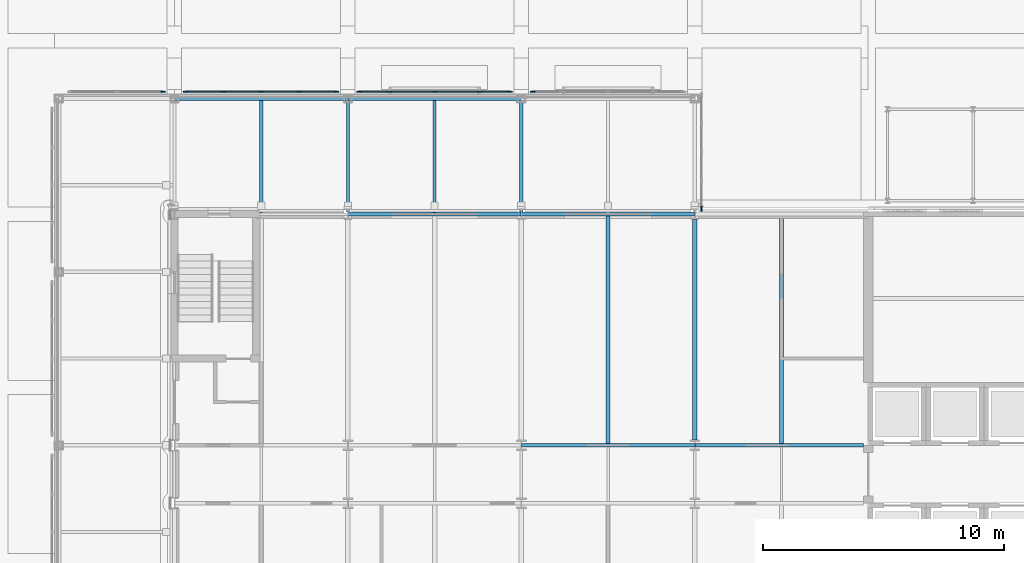
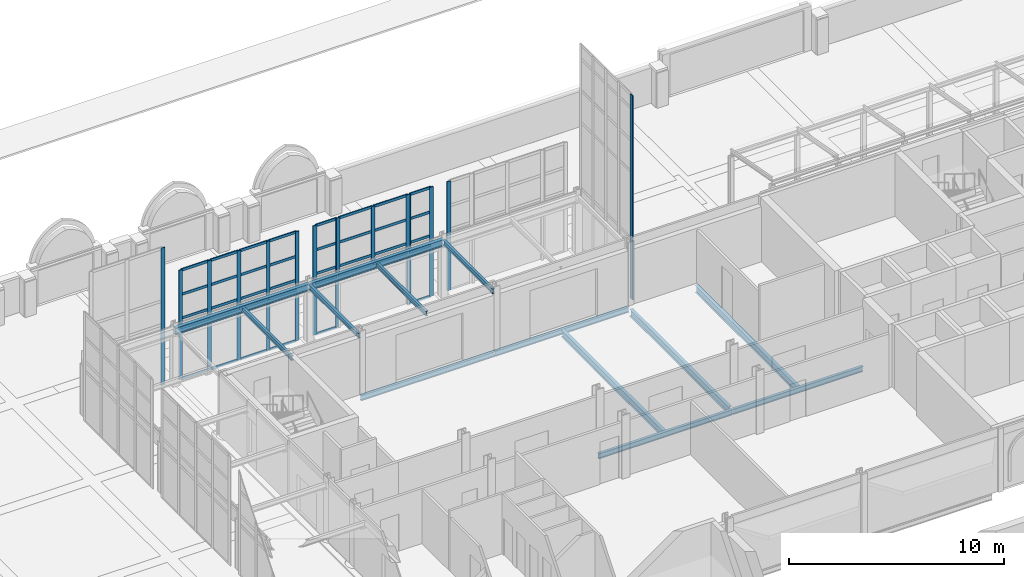
# One storey, part 52 of 143: 53 members, 13 beams, 7 elements without a shape of their own.
"""IFC4 building model written with IfcOpenShell, lengths in metres."""

from ifc_helpers import new_model, si_unit, direction, frame, origin, origin_2d, place, context, subcontext, project, spatial, rectangle, i_section, extrude, material, material_profile, profile_set, type_object, element, aggregate, save


model = new_model("IFC4")

# Units and contexts
model_context = context("Model", 3, precision=1e-05, world=origin(), true_north=direction((0.0, 1.0)))
body_context = subcontext(model_context, "Body", "Model", "MODEL_VIEW")
ifc_project = project(units=[si_unit("LENGTHUNIT", "METRE"), si_unit("AREAUNIT", "SQUARE_METRE"), si_unit("VOLUMEUNIT", "CUBIC_METRE"), si_unit("PLANEANGLEUNIT", "RADIAN"), si_unit("MASSUNIT", "GRAM", prefix="KILO")], contexts=[model_context])

# Site, building, storey
site_placement = place(None, origin())
site = spatial("IfcSite", under=ifc_project, at=site_placement, CompositionType="ELEMENT")
building_placement = place(site_placement, origin())
building = spatial("IfcBuilding", under=site, at=building_placement, Name="Kupolbacken Congress Centre", CompositionType="ELEMENT")
storey_placement = place(building_placement, frame((0.0, 0.0, 7.199951171875)))
storey = spatial("IfcBuildingStorey", under=building, at=storey_placement, Name="L02", CompositionType="ELEMENT", Elevation=7.199951171875)

# Beams
ifc_material_1 = material(Name="Steel S355", Category="steel")
ifc_material_profile_1 = material_profile(ifc_material_1, i_section(OverallWidth=0.135009765625, OverallDepth=0.27001953125, WebThickness=0.006591796875, FlangeThickness=0.01025390625, FilletRadius=0.014892578125, at=origin_2d()), Name="IPE 270")
ifc_profile_set_1 = profile_set([ifc_material_profile_1], Name="Steel S355")
beam_type_1 = type_object("IfcBeamType", Name="B03 beam IPE 270", PredefinedType="BEAM", material=ifc_profile_set_1)
beam_1_placement = place(storey_placement, frame((68.39990234375, 144.06494140625, 3.135009765625), z_axis=(0.0, 1.0, 0.0), x_axis=(-1.0, 0.0, 0.0)))
element("IfcBeam", 1, at=beam_1_placement, inside=storey, type_object=beam_type_1, Name="E/T/portico/N/raft68.4", PredefinedType="BEAM", context=body_context, shape_type="SweptSolid", body=[
    extrude(i_section(OverallWidth=0.135009765625, OverallDepth=0.27001953125, WebThickness=0.006591796875, FlangeThickness=0.01025390625, FilletRadius=0.014892578125, at=origin_2d()), origin(), (0.0, 0.0, 1.0), 4.650146484375),
])
beam_2_placement = place(storey_placement, frame((72.0, 144.080078125, 3.135009765625), z_axis=(0.0, 1.0, 0.0), x_axis=(-1.0, 0.0, 0.0)))
element("IfcBeam", 2, at=beam_2_placement, inside=storey, type_object=beam_type_1, Name="E/T/portico/N/raft72", PredefinedType="BEAM", context=body_context, shape_type="SweptSolid", body=[
    extrude(i_section(OverallWidth=0.135009765625, OverallDepth=0.27001953125, WebThickness=0.006591796875, FlangeThickness=0.01025390625, FilletRadius=0.014892578125, at=origin_2d()), origin(), (0.0, 0.0, 1.0), 4.635009765625),
])
beam_3_placement = place(storey_placement, frame((75.60009765625, 144.06494140625, 3.135009765625), z_axis=(0.0, 1.0, 0.0), x_axis=(-1.0, 0.0, 0.0)))
element("IfcBeam", 3, at=beam_3_placement, inside=storey, type_object=beam_type_1, Name="E/T/portico/N/raft75.6", PredefinedType="BEAM", context=body_context, shape_type="SweptSolid", body=[
    extrude(i_section(OverallWidth=0.135009765625, OverallDepth=0.27001953125, WebThickness=0.006591796875, FlangeThickness=0.01025390625, FilletRadius=0.014892578125, at=origin_2d()), origin(), (0.0, 0.0, 1.0), 4.650146484375),
])
beam_4_placement = place(storey_placement, frame((79.199951171875, 144.080078125, 3.135009765625), z_axis=(0.0, 1.0, 0.0), x_axis=(-1.0, 0.0, 0.0)))
element("IfcBeam", 4, at=beam_4_placement, inside=storey, type_object=beam_type_1, Name="E/T/portico/N/raft79.2", PredefinedType="BEAM", context=body_context, shape_type="SweptSolid", body=[
    extrude(i_section(OverallWidth=0.135009765625, OverallDepth=0.27001953125, WebThickness=0.006591796875, FlangeThickness=0.01025390625, FilletRadius=0.014892578125, at=origin_2d()), origin(), (0.0, 0.0, 1.0), 4.635009765625),
])
ifc_material_2 = material(Name="Steel S355", Category="steel")
ifc_material_profile_2 = material_profile(ifc_material_2, i_section(OverallWidth=0.14990234375, OverallDepth=0.300048828125, WebThickness=0.007080078125, FlangeThickness=0.0107421875, FilletRadius=0.014892578125, at=origin_2d()), Name="IPE 300")
ifc_profile_set_2 = profile_set([ifc_material_profile_2], Name="Steel S355")
beam_type_2 = type_object("IfcBeamType", Name="B04 beam IPE 300", PredefinedType="BEAM", material=ifc_profile_set_2)
beam_5_placement = place(storey_placement, frame((79.21630859375, 134.39990234375, -0.329833984375), z_axis=(1.0, 0.0, 0.0), x_axis=(0.0, 1.0, 0.0)))
element("IfcBeam", 5, at=beam_5_placement, inside=storey, type_object=beam_type_2, Name="S/floor/T/L02/R017", PredefinedType="BEAM", context=body_context, shape_type="SweptSolid", body=[
    extrude(i_section(OverallWidth=0.14990234375, OverallDepth=0.300048828125, WebThickness=0.007080078125, FlangeThickness=0.0107421875, FilletRadius=0.014892578125, at=origin_2d()), origin(), (0.0, 0.0, 1.0), 7.167236328125),
])
beam_6_placement = place(storey_placement, frame((86.41650390625, 134.39990234375, -0.329833984375), z_axis=(1.0, 0.0, 0.0), x_axis=(0.0, 1.0, 0.0)))
element("IfcBeam", 6, at=beam_6_placement, inside=storey, type_object=beam_type_2, Name="S/floor/T/L02/R018", PredefinedType="BEAM", context=body_context, shape_type="SweptSolid", body=[
    extrude(i_section(OverallWidth=0.14990234375, OverallDepth=0.300048828125, WebThickness=0.007080078125, FlangeThickness=0.0107421875, FilletRadius=0.014892578125, at=origin_2d()), origin(), (0.0, 0.0, 1.0), 6.9833984375),
])
for number, where, z_axis, x_axis, name in (
    (7, (72.010498046875, 144.0, -0.329833984375), (1.0, 0.0, 0.0), (0.0, 1.0, 0.0), "S/floor/T/L02/R024"),
    (8, (79.21044921875, 144.0, -0.329833984375), (1.0, 0.0, 0.0), (0.0, 1.0, 0.0), "S/floor/T/L02/R025"),
):
    element("IfcBeam", number, at=place(storey_placement, frame(where, z_axis=z_axis, x_axis=x_axis)), inside=storey, type_object=beam_type_2, Name=name, PredefinedType="BEAM", context=body_context, shape_type="SweptSolid", body=[
        extrude(i_section(OverallWidth=0.14990234375, OverallDepth=0.300048828125, WebThickness=0.007080078125, FlangeThickness=0.0107421875, FilletRadius=0.014892578125, at=origin_2d()), origin(), (0.0, 0.0, 1.0), 7.178955078125),
    ])
ifc_material_3 = material(Name="Steel S355", Category="steel")
ifc_material_profile_3 = material_profile(ifc_material_3, i_section(OverallWidth=0.179931640625, OverallDepth=0.39990234375, WebThickness=0.008544921875, FlangeThickness=0.013427734375, FilletRadius=0.02099609375, at=origin_2d()), Name="IPE 400")
ifc_profile_set_3 = profile_set([ifc_material_profile_3], Name="Steel S355")
beam_type_3 = type_object("IfcBeamType", Name="B07 beam IPE 400", PredefinedType="BEAM", material=ifc_profile_set_3)
beam_7_placement = place(storey_placement, frame((82.800048828125, 134.47509765625, -0.3798828125), z_axis=(0.0, 1.0, 0.0), x_axis=(-1.0, 0.0, 0.0)))
element("IfcBeam", 9, at=beam_7_placement, inside=storey, type_object=beam_type_3, Name="S/floor/T/L02/S048", PredefinedType="BEAM", context=body_context, shape_type="SweptSolid", body=[
    extrude(i_section(OverallWidth=0.179931640625, OverallDepth=0.39990234375, WebThickness=0.008544921875, FlangeThickness=0.013427734375, FilletRadius=0.02099609375, at=origin_2d()), origin(), (0.0, 0.0, 1.0), 9.449951171875),
])
beam_8_placement = place(storey_placement, frame((86.39990234375, 134.612548828125, -0.3798828125), z_axis=(0.0, 1.0, 0.0), x_axis=(-1.0, 0.0, 0.0)))
element("IfcBeam", 10, at=beam_8_placement, inside=storey, type_object=beam_type_3, Name="S/floor/T/L02/S051", PredefinedType="BEAM", context=body_context, shape_type="SweptSolid", body=[
    extrude(i_section(OverallWidth=0.179931640625, OverallDepth=0.39990234375, WebThickness=0.008544921875, FlangeThickness=0.013427734375, FilletRadius=0.02099609375, at=origin_2d()), origin(), (0.0, 0.0, 1.0), 9.17138671875),
])
beam_9_placement = place(storey_placement, frame((90.0, 134.47509765625, -0.3798828125), z_axis=(0.0, 1.0, 0.0), x_axis=(-1.0, 0.0, 0.0)))
element("IfcBeam", 11, at=beam_9_placement, inside=storey, type_object=beam_type_3, Name="S/floor/T/L02/S054", PredefinedType="BEAM", context=body_context, shape_type="SweptSolid", body=[
    extrude(i_section(OverallWidth=0.179931640625, OverallDepth=0.39990234375, WebThickness=0.008544921875, FlangeThickness=0.013427734375, FilletRadius=0.02099609375, at=origin_2d()), origin(), (0.0, 0.0, 1.0), 9.449951171875),
])
for number, where, z_axis, x_axis, name in (
    (12, (64.800048828125, 148.800048828125, 3.070068359375), (1.0, 0.0, 0.0), (0.0, 1.0, 0.0), "E/T/portico/N/lintel64.8"),
    (13, (72.0, 148.800048828125, 3.070068359375), (1.0, 0.0, 0.0), (0.0, 1.0, 0.0), "E/T/portico/N/lintel72"),
):
    element("IfcBeam", number, at=place(storey_placement, frame(where, z_axis=z_axis, x_axis=x_axis)), inside=storey, type_object=beam_type_3, Name=name, PredefinedType="BEAM", context=body_context, shape_type="SweptSolid", body=[
        extrude(i_section(OverallWidth=0.179931640625, OverallDepth=0.39990234375, WebThickness=0.008544921875, FlangeThickness=0.013427734375, FilletRadius=0.02099609375, at=origin_2d()), origin(), (0.0, 0.0, 1.0), 7.199951171875),
    ])

# Curtain wall, member
ifc_material_4 = material(Name="Aluminium mullion-transom frame with glass", Category="aluminium")
curtain_wall_type = type_object("IfcCurtainWallType", Name="CW1 curtain wall 7200x3600", PredefinedType="NOTDEFINED", material=ifc_material_4)
curtain_wall_1_placement = place(storey_placement, origin())
curtain_wall_1 = element("IfcCurtainWall", 14, at=curtain_wall_1_placement, inside=storey, type_object=curtain_wall_type, Name="E/T/portal/N/screen60/cw", PredefinedType="NOTDEFINED")
ifc_material_5 = material(Name="Aluminium alloy", Category="aluminium")
ifc_material_profile_4 = material_profile(ifc_material_5, rectangle(XDim=0.050048828125, YDim=0.199951171875, at=origin_2d()), Name="50 x 200")
ifc_profile_set_4 = profile_set([ifc_material_profile_4], Name="Aluminium alloy")
member_type_1 = type_object("IfcMemberType", Name="MU2 mullion 50x200", PredefinedType="MULLION", material=ifc_profile_set_4)
member_1_placement = place(storey_placement, frame((64.324951171875, 149.074951171875, 0.0), z_axis=(0.0, 0.0, 1.0), x_axis=(0.0, -1.0, 0.0)))
member_1 = element("IfcMember", 15, at=member_1_placement, type_object=member_type_1, Name="CW1 mullion 1", PredefinedType="MULLION", context=body_context, shape_type="SweptSolid", body=[
    extrude(rectangle(XDim=0.050048828125, YDim=0.199951171875, at=origin_2d()), origin(), (0.0, 0.0, 1.0), 7.800048828125),
])
aggregate(curtain_wall_1, [member_1])

# Curtain wall, members
curtain_wall_2_placement = place(storey_placement, origin())
curtain_wall_2 = element("IfcCurtainWall", 16, at=curtain_wall_2_placement, inside=storey, type_object=curtain_wall_type, Name="E/T/portal/N/screen64.8/cw", PredefinedType="NOTDEFINED")
member_2_placement = place(storey_placement, frame((71.52490234375, 149.074951171875, 0.0), z_axis=(0.0, 0.0, 1.0), x_axis=(0.0, -1.0, 0.0)))
member_2 = element("IfcMember", 17, at=member_2_placement, type_object=member_type_1, Name="CW1 mullion 1", PredefinedType="MULLION", context=body_context, shape_type="SweptSolid", body=[
    extrude(rectangle(XDim=0.050048828125, YDim=0.199951171875, at=origin_2d()), origin(), (0.0, 0.0, 1.0), 6.199951171875),
])
member_3_placement = place(storey_placement, frame((69.97509765625, 149.074951171875, 0.0), z_axis=(0.0, 0.0, 1.0), x_axis=(0.0, -1.0, 0.0)))
member_3 = element("IfcMember", 18, at=member_3_placement, type_object=member_type_1, Name="CW1 mullion 2", PredefinedType="MULLION", context=body_context, shape_type="SweptSolid", body=[
    extrude(rectangle(XDim=0.050048828125, YDim=0.199951171875, at=origin_2d()), origin(), (0.0, 0.0, 1.0), 6.199951171875),
])
member_4_placement = place(storey_placement, frame((68.39990234375, 149.074951171875, 0.0), z_axis=(0.0, 0.0, 1.0), x_axis=(0.0, -1.0, 0.0)))
member_4 = element("IfcMember", 19, at=member_4_placement, type_object=member_type_1, Name="CW1 mullion 3", PredefinedType="MULLION", context=body_context, shape_type="SweptSolid", body=[
    extrude(rectangle(XDim=0.050048828125, YDim=0.199951171875, at=origin_2d()), origin(), (0.0, 0.0, 1.0), 6.199951171875),
])
member_5_placement = place(storey_placement, frame((66.824951171875, 149.074951171875, 0.0), z_axis=(0.0, 0.0, 1.0), x_axis=(0.0, -1.0, 0.0)))
member_5 = element("IfcMember", 20, at=member_5_placement, type_object=member_type_1, Name="CW1 mullion 4", PredefinedType="MULLION", context=body_context, shape_type="SweptSolid", body=[
    extrude(rectangle(XDim=0.050048828125, YDim=0.199951171875, at=origin_2d()), origin(), (0.0, 0.0, 1.0), 6.199951171875),
])
member_6_placement = place(storey_placement, frame((65.27490234375, 149.074951171875, 0.0), z_axis=(0.0, 0.0, 1.0), x_axis=(0.0, -1.0, 0.0)))
member_6 = element("IfcMember", 21, at=member_6_placement, type_object=member_type_1, Name="CW1 mullion 5", PredefinedType="MULLION", context=body_context, shape_type="SweptSolid", body=[
    extrude(rectangle(XDim=0.050048828125, YDim=0.199951171875, at=origin_2d()), origin(), (0.0, 0.0, 1.0), 6.199951171875),
])

curtain_wall_3_placement = place(storey_placement, origin())
curtain_wall_3 = element("IfcCurtainWall", 22, at=curtain_wall_3_placement, inside=storey, type_object=curtain_wall_type, Name="E/T/portal/N/screen72/sideW", PredefinedType="NOTDEFINED")
member_7_placement = place(storey_placement, frame((73.675048828125, 149.074951171875, 0.0), z_axis=(0.0, 0.0, 1.0), x_axis=(0.0, -1.0, 0.0)))
member_7 = element("IfcMember", 23, at=member_7_placement, type_object=member_type_1, Name="CW1 mullion 1", PredefinedType="MULLION", context=body_context, shape_type="SweptSolid", body=[
    extrude(rectangle(XDim=0.050048828125, YDim=0.199951171875, at=origin_2d()), origin(), (0.0, 0.0, 1.0), 6.199951171875),
])
member_8_placement = place(storey_placement, frame((72.47509765625, 149.074951171875, 0.0), z_axis=(0.0, 0.0, 1.0), x_axis=(0.0, -1.0, 0.0)))
member_8 = element("IfcMember", 24, at=member_8_placement, type_object=member_type_1, Name="CW1 mullion 2", PredefinedType="MULLION", context=body_context, shape_type="SweptSolid", body=[
    extrude(rectangle(XDim=0.050048828125, YDim=0.199951171875, at=origin_2d()), origin(), (0.0, 0.0, 1.0), 6.199951171875),
])

curtain_wall_4_placement = place(storey_placement, origin())
curtain_wall_4 = element("IfcCurtainWall", 25, at=curtain_wall_4_placement, inside=storey, type_object=curtain_wall_type, Name="E/T/portal/N/screen72/sideE", PredefinedType="NOTDEFINED")
member_9_placement = place(storey_placement, frame((78.72509765625, 149.074951171875, 0.0), z_axis=(0.0, 0.0, 1.0), x_axis=(0.0, -1.0, 0.0)))
member_9 = element("IfcMember", 26, at=member_9_placement, type_object=member_type_1, Name="CW1 mullion 1", PredefinedType="MULLION", context=body_context, shape_type="SweptSolid", body=[
    extrude(rectangle(XDim=0.050048828125, YDim=0.199951171875, at=origin_2d()), origin(), (0.0, 0.0, 1.0), 6.199951171875),
])
member_10_placement = place(storey_placement, frame((77.52490234375, 149.074951171875, 0.0), z_axis=(0.0, 0.0, 1.0), x_axis=(0.0, -1.0, 0.0)))
member_10 = element("IfcMember", 27, at=member_10_placement, type_object=member_type_1, Name="CW1 mullion 2", PredefinedType="MULLION", context=body_context, shape_type="SweptSolid", body=[
    extrude(rectangle(XDim=0.050048828125, YDim=0.199951171875, at=origin_2d()), origin(), (0.0, 0.0, 1.0), 6.199951171875),
])

curtain_wall_5_placement = place(storey_placement, origin())
curtain_wall_5 = element("IfcCurtainWall", 28, at=curtain_wall_5_placement, inside=storey, type_object=curtain_wall_type, Name="E/T/portal/N/screen72/over", PredefinedType="NOTDEFINED")
member_11_placement = place(storey_placement, frame((77.47509765625, 149.074951171875, 2.900146484375), z_axis=(0.0, 0.0, 1.0), x_axis=(0.0, -1.0, 0.0)))
member_11 = element("IfcMember", 29, at=member_11_placement, type_object=member_type_1, Name="CW1 mullion 1", PredefinedType="MULLION", context=body_context, shape_type="SweptSolid", body=[
    extrude(rectangle(XDim=0.050048828125, YDim=0.199951171875, at=origin_2d()), origin(), (0.0, 0.0, 1.0), 3.2998046875),
])
member_12_placement = place(storey_placement, frame((75.60009765625, 149.074951171875, 2.900146484375), z_axis=(0.0, 0.0, 1.0), x_axis=(0.0, -1.0, 0.0)))
member_12 = element("IfcMember", 30, at=member_12_placement, type_object=member_type_1, Name="CW1 mullion 2", PredefinedType="MULLION", context=body_context, shape_type="SweptSolid", body=[
    extrude(rectangle(XDim=0.050048828125, YDim=0.199951171875, at=origin_2d()), origin(), (0.0, 0.0, 1.0), 3.2998046875),
])
member_13_placement = place(storey_placement, frame((73.72509765625, 149.074951171875, 2.900146484375), z_axis=(0.0, 0.0, 1.0), x_axis=(0.0, -1.0, 0.0)))
member_13 = element("IfcMember", 31, at=member_13_placement, type_object=member_type_1, Name="CW1 mullion 3", PredefinedType="MULLION", context=body_context, shape_type="SweptSolid", body=[
    extrude(rectangle(XDim=0.050048828125, YDim=0.199951171875, at=origin_2d()), origin(), (0.0, 0.0, 1.0), 3.2998046875),
])

# Curtain wall, member
curtain_wall_6_placement = place(storey_placement, origin())
curtain_wall_6 = element("IfcCurtainWall", 32, at=curtain_wall_6_placement, inside=storey, type_object=curtain_wall_type, Name="E/T/portal/N/screen79.2/sideW", PredefinedType="NOTDEFINED")
member_14_placement = place(storey_placement, frame((79.675048828125, 149.074951171875, 0.0), z_axis=(0.0, 0.0, 1.0), x_axis=(0.0, -1.0, 0.0)))
member_14 = element("IfcMember", 33, at=member_14_placement, type_object=member_type_1, Name="CW1 mullion 2", PredefinedType="MULLION", context=body_context, shape_type="SweptSolid", body=[
    extrude(rectangle(XDim=0.050048828125, YDim=0.199951171875, at=origin_2d()), origin(), (0.0, 0.0, 1.0), 6.199951171875),
])
aggregate(curtain_wall_6, [member_14])

curtain_wall_7_placement = place(storey_placement, origin())
curtain_wall_7 = element("IfcCurtainWall", 34, at=curtain_wall_7_placement, inside=storey, type_object=curtain_wall_type, Name="E/T/portal/N/screenE", PredefinedType="NOTDEFINED")
member_15_placement = place(storey_placement, frame((86.679931640625, 144.215087890625, 0.0), z_axis=(0.0, 0.0, 1.0), x_axis=(1.0, 0.0, 0.0)))
member_15 = element("IfcMember", 35, at=member_15_placement, type_object=member_type_1, Name="CW1 mullion 5", PredefinedType="MULLION", context=body_context, shape_type="SweptSolid", body=[
    extrude(rectangle(XDim=0.050048828125, YDim=0.199951171875, at=origin_2d()), origin(), (0.0, 0.0, 1.0), 11.60009765625),
])
aggregate(curtain_wall_7, [member_15])

# Member
ifc_material_6 = material(Name="Aluminium alloy", Category="aluminium")
ifc_material_profile_5 = material_profile(ifc_material_6, rectangle(XDim=0.050048828125, YDim=0.14990234375, at=origin_2d()), Name="50 x 150")
ifc_profile_set_5 = profile_set([ifc_material_profile_5], Name="Aluminium alloy")
member_type_2 = type_object("IfcMemberType", Name="TR2 transom 50x150", PredefinedType="MULLION", material=ifc_profile_set_5)
member_16_placement = place(storey_placement, frame((71.5, 149.074951171875, 0.025146484375), z_axis=(-1.0, 0.0, 0.0), x_axis=(0.0, -1.0, 0.0)))
member_16 = element("IfcMember", 36, at=member_16_placement, type_object=member_type_2, Name="CW1 transom 1.1", PredefinedType="MULLION", context=body_context, shape_type="SweptSolid", body=[
    extrude(rectangle(XDim=0.050048828125, YDim=0.14990234375, at=origin_2d()), origin(), (0.0, 0.0, 1.0), 1.5),
])

member_17_placement = place(storey_placement, frame((71.5, 149.074951171875, 2.900146484375), z_axis=(-1.0, 0.0, 0.0), x_axis=(0.0, -1.0, 0.0)))
member_17 = element("IfcMember", 37, at=member_17_placement, type_object=member_type_2, Name="CW1 transom 1.2", PredefinedType="MULLION", context=body_context, shape_type="SweptSolid", body=[
    extrude(rectangle(XDim=0.050048828125, YDim=0.14990234375, at=origin_2d()), origin(), (0.0, 0.0, 1.0), 1.5),
])

member_18_placement = place(storey_placement, frame((71.5, 149.074951171875, 3.449951171875), z_axis=(-1.0, 0.0, 0.0), x_axis=(0.0, -1.0, 0.0)))
member_18 = element("IfcMember", 38, at=member_18_placement, type_object=member_type_2, Name="CW1 transom 1.3", PredefinedType="MULLION", context=body_context, shape_type="SweptSolid", body=[
    extrude(rectangle(XDim=0.050048828125, YDim=0.14990234375, at=origin_2d()), origin(), (0.0, 0.0, 1.0), 1.5),
])

member_19_placement = place(storey_placement, frame((71.5, 149.074951171875, 4.800048828125), z_axis=(-1.0, 0.0, 0.0), x_axis=(0.0, -1.0, 0.0)))
member_19 = element("IfcMember", 39, at=member_19_placement, type_object=member_type_2, Name="CW1 transom 1.4", PredefinedType="MULLION", context=body_context, shape_type="SweptSolid", body=[
    extrude(rectangle(XDim=0.050048828125, YDim=0.14990234375, at=origin_2d()), origin(), (0.0, 0.0, 1.0), 1.5),
])

member_20_placement = place(storey_placement, frame((71.5, 149.074951171875, 6.175048828125), z_axis=(-1.0, 0.0, 0.0), x_axis=(0.0, -1.0, 0.0)))
member_20 = element("IfcMember", 40, at=member_20_placement, type_object=member_type_2, Name="CW1 transom 1.5", PredefinedType="MULLION", context=body_context, shape_type="SweptSolid", body=[
    extrude(rectangle(XDim=0.050048828125, YDim=0.14990234375, at=origin_2d()), origin(), (0.0, 0.0, 1.0), 1.5),
])

member_21_placement = place(storey_placement, frame((69.949951171875, 149.074951171875, 0.025146484375), z_axis=(-1.0, 0.0, 0.0), x_axis=(0.0, -1.0, 0.0)))
member_21 = element("IfcMember", 41, at=member_21_placement, type_object=member_type_2, Name="CW1 transom 2.1", PredefinedType="MULLION", context=body_context, shape_type="SweptSolid", body=[
    extrude(rectangle(XDim=0.050048828125, YDim=0.14990234375, at=origin_2d()), origin(), (0.0, 0.0, 1.0), 1.52490234375),
])

member_22_placement = place(storey_placement, frame((69.949951171875, 149.074951171875, 2.900146484375), z_axis=(-1.0, 0.0, 0.0), x_axis=(0.0, -1.0, 0.0)))
member_22 = element("IfcMember", 42, at=member_22_placement, type_object=member_type_2, Name="CW1 transom 2.2", PredefinedType="MULLION", context=body_context, shape_type="SweptSolid", body=[
    extrude(rectangle(XDim=0.050048828125, YDim=0.14990234375, at=origin_2d()), origin(), (0.0, 0.0, 1.0), 1.52490234375),
])

member_23_placement = place(storey_placement, frame((69.949951171875, 149.074951171875, 3.449951171875), z_axis=(-1.0, 0.0, 0.0), x_axis=(0.0, -1.0, 0.0)))
member_23 = element("IfcMember", 43, at=member_23_placement, type_object=member_type_2, Name="CW1 transom 2.3", PredefinedType="MULLION", context=body_context, shape_type="SweptSolid", body=[
    extrude(rectangle(XDim=0.050048828125, YDim=0.14990234375, at=origin_2d()), origin(), (0.0, 0.0, 1.0), 1.52490234375),
])

member_24_placement = place(storey_placement, frame((69.949951171875, 149.074951171875, 4.800048828125), z_axis=(-1.0, 0.0, 0.0), x_axis=(0.0, -1.0, 0.0)))
member_24 = element("IfcMember", 44, at=member_24_placement, type_object=member_type_2, Name="CW1 transom 2.4", PredefinedType="MULLION", context=body_context, shape_type="SweptSolid", body=[
    extrude(rectangle(XDim=0.050048828125, YDim=0.14990234375, at=origin_2d()), origin(), (0.0, 0.0, 1.0), 1.52490234375),
])

member_25_placement = place(storey_placement, frame((69.949951171875, 149.074951171875, 6.175048828125), z_axis=(-1.0, 0.0, 0.0), x_axis=(0.0, -1.0, 0.0)))
member_25 = element("IfcMember", 45, at=member_25_placement, type_object=member_type_2, Name="CW1 transom 2.5", PredefinedType="MULLION", context=body_context, shape_type="SweptSolid", body=[
    extrude(rectangle(XDim=0.050048828125, YDim=0.14990234375, at=origin_2d()), origin(), (0.0, 0.0, 1.0), 1.52490234375),
])

member_26_placement = place(storey_placement, frame((68.375, 149.074951171875, 0.025146484375), z_axis=(-1.0, 0.0, 0.0), x_axis=(0.0, -1.0, 0.0)))
member_26 = element("IfcMember", 46, at=member_26_placement, type_object=member_type_2, Name="CW1 transom 3.1", PredefinedType="MULLION", context=body_context, shape_type="SweptSolid", body=[
    extrude(rectangle(XDim=0.050048828125, YDim=0.14990234375, at=origin_2d()), origin(), (0.0, 0.0, 1.0), 1.52490234375),
])

member_27_placement = place(storey_placement, frame((68.375, 149.074951171875, 2.900146484375), z_axis=(-1.0, 0.0, 0.0), x_axis=(0.0, -1.0, 0.0)))
member_27 = element("IfcMember", 47, at=member_27_placement, type_object=member_type_2, Name="CW1 transom 3.2", PredefinedType="MULLION", context=body_context, shape_type="SweptSolid", body=[
    extrude(rectangle(XDim=0.050048828125, YDim=0.14990234375, at=origin_2d()), origin(), (0.0, 0.0, 1.0), 1.52490234375),
])

member_28_placement = place(storey_placement, frame((68.375, 149.074951171875, 3.449951171875), z_axis=(-1.0, 0.0, 0.0), x_axis=(0.0, -1.0, 0.0)))
member_28 = element("IfcMember", 48, at=member_28_placement, type_object=member_type_2, Name="CW1 transom 3.3", PredefinedType="MULLION", context=body_context, shape_type="SweptSolid", body=[
    extrude(rectangle(XDim=0.050048828125, YDim=0.14990234375, at=origin_2d()), origin(), (0.0, 0.0, 1.0), 1.52490234375),
])

member_29_placement = place(storey_placement, frame((68.375, 149.074951171875, 4.800048828125), z_axis=(-1.0, 0.0, 0.0), x_axis=(0.0, -1.0, 0.0)))
member_29 = element("IfcMember", 49, at=member_29_placement, type_object=member_type_2, Name="CW1 transom 3.4", PredefinedType="MULLION", context=body_context, shape_type="SweptSolid", body=[
    extrude(rectangle(XDim=0.050048828125, YDim=0.14990234375, at=origin_2d()), origin(), (0.0, 0.0, 1.0), 1.52490234375),
])

member_30_placement = place(storey_placement, frame((68.375, 149.074951171875, 6.175048828125), z_axis=(-1.0, 0.0, 0.0), x_axis=(0.0, -1.0, 0.0)))
member_30 = element("IfcMember", 50, at=member_30_placement, type_object=member_type_2, Name="CW1 transom 3.5", PredefinedType="MULLION", context=body_context, shape_type="SweptSolid", body=[
    extrude(rectangle(XDim=0.050048828125, YDim=0.14990234375, at=origin_2d()), origin(), (0.0, 0.0, 1.0), 1.52490234375),
])

member_31_placement = place(storey_placement, frame((66.800048828125, 149.074951171875, 0.025146484375), z_axis=(-1.0, 0.0, 0.0), x_axis=(0.0, -1.0, 0.0)))
member_31 = element("IfcMember", 51, at=member_31_placement, type_object=member_type_2, Name="CW1 transom 4.1", PredefinedType="MULLION", context=body_context, shape_type="SweptSolid", body=[
    extrude(rectangle(XDim=0.050048828125, YDim=0.14990234375, at=origin_2d()), origin(), (0.0, 0.0, 1.0), 1.5),
])

member_32_placement = place(storey_placement, frame((66.800048828125, 149.074951171875, 2.900146484375), z_axis=(-1.0, 0.0, 0.0), x_axis=(0.0, -1.0, 0.0)))
member_32 = element("IfcMember", 52, at=member_32_placement, type_object=member_type_2, Name="CW1 transom 4.2", PredefinedType="MULLION", context=body_context, shape_type="SweptSolid", body=[
    extrude(rectangle(XDim=0.050048828125, YDim=0.14990234375, at=origin_2d()), origin(), (0.0, 0.0, 1.0), 1.5),
])

member_33_placement = place(storey_placement, frame((66.800048828125, 149.074951171875, 3.449951171875), z_axis=(-1.0, 0.0, 0.0), x_axis=(0.0, -1.0, 0.0)))
member_33 = element("IfcMember", 53, at=member_33_placement, type_object=member_type_2, Name="CW1 transom 4.3", PredefinedType="MULLION", context=body_context, shape_type="SweptSolid", body=[
    extrude(rectangle(XDim=0.050048828125, YDim=0.14990234375, at=origin_2d()), origin(), (0.0, 0.0, 1.0), 1.5),
])

member_34_placement = place(storey_placement, frame((66.800048828125, 149.074951171875, 4.800048828125), z_axis=(-1.0, 0.0, 0.0), x_axis=(0.0, -1.0, 0.0)))
member_34 = element("IfcMember", 54, at=member_34_placement, type_object=member_type_2, Name="CW1 transom 4.4", PredefinedType="MULLION", context=body_context, shape_type="SweptSolid", body=[
    extrude(rectangle(XDim=0.050048828125, YDim=0.14990234375, at=origin_2d()), origin(), (0.0, 0.0, 1.0), 1.5),
])

member_35_placement = place(storey_placement, frame((66.800048828125, 149.074951171875, 6.175048828125), z_axis=(-1.0, 0.0, 0.0), x_axis=(0.0, -1.0, 0.0)))
member_35 = element("IfcMember", 55, at=member_35_placement, type_object=member_type_2, Name="CW1 transom 4.5", PredefinedType="MULLION", context=body_context, shape_type="SweptSolid", body=[
    extrude(rectangle(XDim=0.050048828125, YDim=0.14990234375, at=origin_2d()), origin(), (0.0, 0.0, 1.0), 1.5),
])

aggregate(curtain_wall_2, [member_2, member_3, member_4, member_5, member_6, member_16, member_17, member_18, member_19, member_20, member_21, member_22, member_23, member_24, member_25, member_26, member_27, member_28, member_29, member_30, member_31, member_32, member_33, member_34, member_35])

member_36_placement = place(storey_placement, frame((73.64990234375, 149.074951171875, 0.025146484375), z_axis=(-1.0, 0.0, 0.0), x_axis=(0.0, -1.0, 0.0)))
member_36 = element("IfcMember", 56, at=member_36_placement, type_object=member_type_2, Name="CW1 transom 1.1", PredefinedType="MULLION", context=body_context, shape_type="SweptSolid", body=[
    extrude(rectangle(XDim=0.050048828125, YDim=0.14990234375, at=origin_2d()), origin(), (0.0, 0.0, 1.0), 1.14990234375),
])

member_37_placement = place(storey_placement, frame((73.64990234375, 149.074951171875, 2.900146484375), z_axis=(-1.0, 0.0, 0.0), x_axis=(0.0, -1.0, 0.0)))
member_37 = element("IfcMember", 57, at=member_37_placement, type_object=member_type_2, Name="CW1 transom 1.2", PredefinedType="MULLION", context=body_context, shape_type="SweptSolid", body=[
    extrude(rectangle(XDim=0.050048828125, YDim=0.14990234375, at=origin_2d()), origin(), (0.0, 0.0, 1.0), 1.14990234375),
])

member_38_placement = place(storey_placement, frame((73.64990234375, 149.074951171875, 3.449951171875), z_axis=(-1.0, 0.0, 0.0), x_axis=(0.0, -1.0, 0.0)))
member_38 = element("IfcMember", 58, at=member_38_placement, type_object=member_type_2, Name="CW1 transom 1.3", PredefinedType="MULLION", context=body_context, shape_type="SweptSolid", body=[
    extrude(rectangle(XDim=0.050048828125, YDim=0.14990234375, at=origin_2d()), origin(), (0.0, 0.0, 1.0), 1.14990234375),
])

member_39_placement = place(storey_placement, frame((73.64990234375, 149.074951171875, 4.800048828125), z_axis=(-1.0, 0.0, 0.0), x_axis=(0.0, -1.0, 0.0)))
member_39 = element("IfcMember", 59, at=member_39_placement, type_object=member_type_2, Name="CW1 transom 1.4", PredefinedType="MULLION", context=body_context, shape_type="SweptSolid", body=[
    extrude(rectangle(XDim=0.050048828125, YDim=0.14990234375, at=origin_2d()), origin(), (0.0, 0.0, 1.0), 1.14990234375),
])

member_40_placement = place(storey_placement, frame((73.64990234375, 149.074951171875, 6.175048828125), z_axis=(-1.0, 0.0, 0.0), x_axis=(0.0, -1.0, 0.0)))
member_40 = element("IfcMember", 60, at=member_40_placement, type_object=member_type_2, Name="CW1 transom 1.5", PredefinedType="MULLION", context=body_context, shape_type="SweptSolid", body=[
    extrude(rectangle(XDim=0.050048828125, YDim=0.14990234375, at=origin_2d()), origin(), (0.0, 0.0, 1.0), 1.14990234375),
])

aggregate(curtain_wall_3, [member_7, member_8, member_36, member_37, member_38, member_39, member_40])

member_41_placement = place(storey_placement, frame((78.699951171875, 149.074951171875, 0.025146484375), z_axis=(-1.0, 0.0, 0.0), x_axis=(0.0, -1.0, 0.0)))
member_41 = element("IfcMember", 61, at=member_41_placement, type_object=member_type_2, Name="CW1 transom 1.1", PredefinedType="MULLION", context=body_context, shape_type="SweptSolid", body=[
    extrude(rectangle(XDim=0.050048828125, YDim=0.14990234375, at=origin_2d()), origin(), (0.0, 0.0, 1.0), 1.14990234375),
])

member_42_placement = place(storey_placement, frame((78.699951171875, 149.074951171875, 2.900146484375), z_axis=(-1.0, 0.0, 0.0), x_axis=(0.0, -1.0, 0.0)))
member_42 = element("IfcMember", 62, at=member_42_placement, type_object=member_type_2, Name="CW1 transom 1.2", PredefinedType="MULLION", context=body_context, shape_type="SweptSolid", body=[
    extrude(rectangle(XDim=0.050048828125, YDim=0.14990234375, at=origin_2d()), origin(), (0.0, 0.0, 1.0), 1.14990234375),
])

member_43_placement = place(storey_placement, frame((78.699951171875, 149.074951171875, 3.449951171875), z_axis=(-1.0, 0.0, 0.0), x_axis=(0.0, -1.0, 0.0)))
member_43 = element("IfcMember", 63, at=member_43_placement, type_object=member_type_2, Name="CW1 transom 1.3", PredefinedType="MULLION", context=body_context, shape_type="SweptSolid", body=[
    extrude(rectangle(XDim=0.050048828125, YDim=0.14990234375, at=origin_2d()), origin(), (0.0, 0.0, 1.0), 1.14990234375),
])

member_44_placement = place(storey_placement, frame((78.699951171875, 149.074951171875, 4.800048828125), z_axis=(-1.0, 0.0, 0.0), x_axis=(0.0, -1.0, 0.0)))
member_44 = element("IfcMember", 64, at=member_44_placement, type_object=member_type_2, Name="CW1 transom 1.4", PredefinedType="MULLION", context=body_context, shape_type="SweptSolid", body=[
    extrude(rectangle(XDim=0.050048828125, YDim=0.14990234375, at=origin_2d()), origin(), (0.0, 0.0, 1.0), 1.14990234375),
])

member_45_placement = place(storey_placement, frame((78.699951171875, 149.074951171875, 6.175048828125), z_axis=(-1.0, 0.0, 0.0), x_axis=(0.0, -1.0, 0.0)))
member_45 = element("IfcMember", 65, at=member_45_placement, type_object=member_type_2, Name="CW1 transom 1.5", PredefinedType="MULLION", context=body_context, shape_type="SweptSolid", body=[
    extrude(rectangle(XDim=0.050048828125, YDim=0.14990234375, at=origin_2d()), origin(), (0.0, 0.0, 1.0), 1.14990234375),
])

aggregate(curtain_wall_4, [member_9, member_10, member_41, member_42, member_43, member_44, member_45])

member_46_placement = place(storey_placement, frame((77.449951171875, 149.074951171875, 2.925048828125), z_axis=(-1.0, 0.0, 0.0), x_axis=(0.0, -1.0, 0.0)))
member_46 = element("IfcMember", 66, at=member_46_placement, type_object=member_type_2, Name="CW1 transom 1.1", PredefinedType="MULLION", context=body_context, shape_type="SweptSolid", body=[
    extrude(rectangle(XDim=0.050048828125, YDim=0.14990234375, at=origin_2d()), origin(), (0.0, 0.0, 1.0), 1.824951171875),
])

member_47_placement = place(storey_placement, frame((77.449951171875, 149.074951171875, 3.449951171875), z_axis=(-1.0, 0.0, 0.0), x_axis=(0.0, -1.0, 0.0)))
member_47 = element("IfcMember", 67, at=member_47_placement, type_object=member_type_2, Name="CW1 transom 1.2", PredefinedType="MULLION", context=body_context, shape_type="SweptSolid", body=[
    extrude(rectangle(XDim=0.050048828125, YDim=0.14990234375, at=origin_2d()), origin(), (0.0, 0.0, 1.0), 1.824951171875),
])

member_48_placement = place(storey_placement, frame((77.449951171875, 149.074951171875, 4.800048828125), z_axis=(-1.0, 0.0, 0.0), x_axis=(0.0, -1.0, 0.0)))
member_48 = element("IfcMember", 68, at=member_48_placement, type_object=member_type_2, Name="CW1 transom 1.3", PredefinedType="MULLION", context=body_context, shape_type="SweptSolid", body=[
    extrude(rectangle(XDim=0.050048828125, YDim=0.14990234375, at=origin_2d()), origin(), (0.0, 0.0, 1.0), 1.824951171875),
])

member_49_placement = place(storey_placement, frame((77.449951171875, 149.074951171875, 6.175048828125), z_axis=(-1.0, 0.0, 0.0), x_axis=(0.0, -1.0, 0.0)))
member_49 = element("IfcMember", 69, at=member_49_placement, type_object=member_type_2, Name="CW1 transom 1.4", PredefinedType="MULLION", context=body_context, shape_type="SweptSolid", body=[
    extrude(rectangle(XDim=0.050048828125, YDim=0.14990234375, at=origin_2d()), origin(), (0.0, 0.0, 1.0), 1.824951171875),
])

member_50_placement = place(storey_placement, frame((75.574951171875, 149.074951171875, 2.925048828125), z_axis=(-1.0, 0.0, 0.0), x_axis=(0.0, -1.0, 0.0)))
member_50 = element("IfcMember", 70, at=member_50_placement, type_object=member_type_2, Name="CW1 transom 2.1", PredefinedType="MULLION", context=body_context, shape_type="SweptSolid", body=[
    extrude(rectangle(XDim=0.050048828125, YDim=0.14990234375, at=origin_2d()), origin(), (0.0, 0.0, 1.0), 1.824951171875),
])

member_51_placement = place(storey_placement, frame((75.574951171875, 149.074951171875, 3.449951171875), z_axis=(-1.0, 0.0, 0.0), x_axis=(0.0, -1.0, 0.0)))
member_51 = element("IfcMember", 71, at=member_51_placement, type_object=member_type_2, Name="CW1 transom 2.2", PredefinedType="MULLION", context=body_context, shape_type="SweptSolid", body=[
    extrude(rectangle(XDim=0.050048828125, YDim=0.14990234375, at=origin_2d()), origin(), (0.0, 0.0, 1.0), 1.824951171875),
])

member_52_placement = place(storey_placement, frame((75.574951171875, 149.074951171875, 4.800048828125), z_axis=(-1.0, 0.0, 0.0), x_axis=(0.0, -1.0, 0.0)))
member_52 = element("IfcMember", 72, at=member_52_placement, type_object=member_type_2, Name="CW1 transom 2.3", PredefinedType="MULLION", context=body_context, shape_type="SweptSolid", body=[
    extrude(rectangle(XDim=0.050048828125, YDim=0.14990234375, at=origin_2d()), origin(), (0.0, 0.0, 1.0), 1.824951171875),
])

member_53_placement = place(storey_placement, frame((75.574951171875, 149.074951171875, 6.175048828125), z_axis=(-1.0, 0.0, 0.0), x_axis=(0.0, -1.0, 0.0)))
member_53 = element("IfcMember", 73, at=member_53_placement, type_object=member_type_2, Name="CW1 transom 2.4", PredefinedType="MULLION", context=body_context, shape_type="SweptSolid", body=[
    extrude(rectangle(XDim=0.050048828125, YDim=0.14990234375, at=origin_2d()), origin(), (0.0, 0.0, 1.0), 1.824951171875),
])

aggregate(curtain_wall_5, [member_11, member_12, member_13, member_46, member_47, member_48, member_49, member_50, member_51, member_52, member_53])

save(model, "model.ifc")
